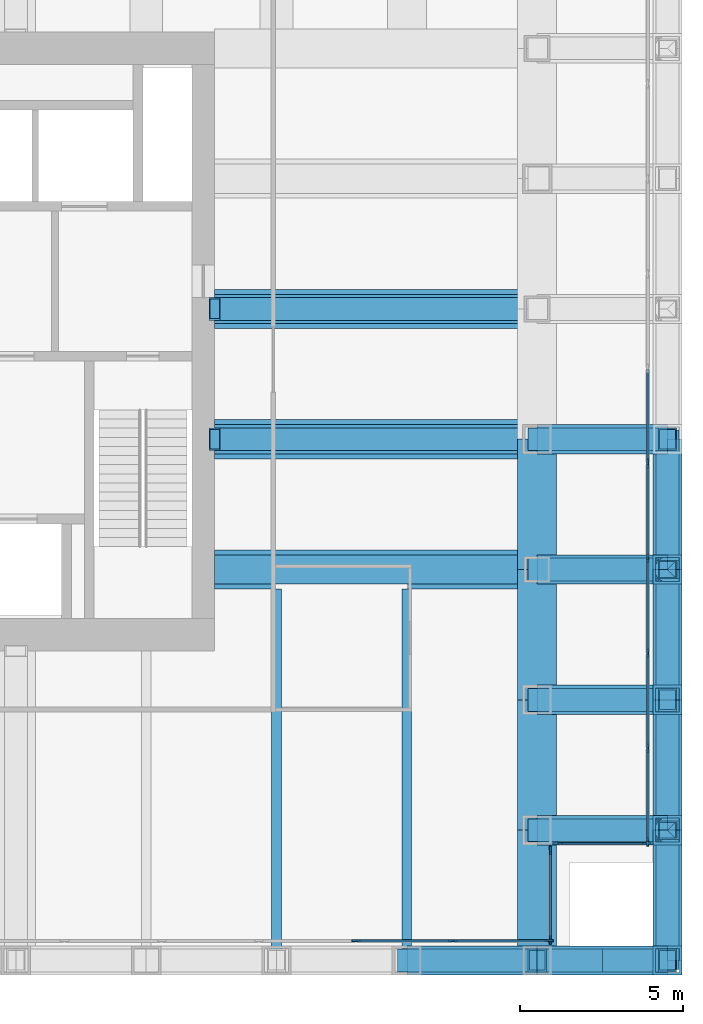
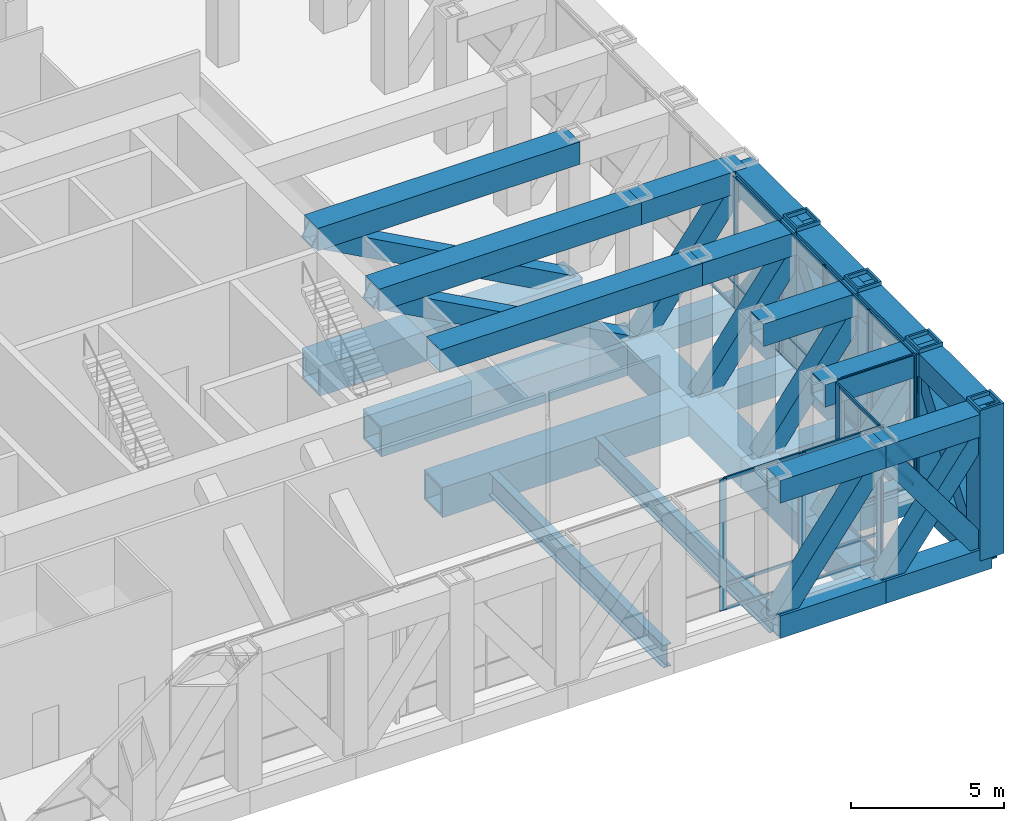
# One storey, part 4 of 12: 53 members, 32 beams, 4 elements without a shape of their own.
"""IFC4 building model written with IfcOpenShell, lengths in metres."""

from ifc_helpers import new_model, si_unit, direction, frame, origin, origin_2d, place, context, subcontext, project, spatial, rectangle, hollow_rectangle, i_section, extrude, material, material_profile, profile_set, type_object, element, aggregate, save


model = new_model("IFC4")

# Units and contexts
model_context = context("Model", 3, precision=1e-05, world=origin(), true_north=direction((0.0, 1.0)))
body_context = subcontext(model_context, "Body", "Model", "MODEL_VIEW")
ifc_project = project(units=[si_unit("LENGTHUNIT", "METRE"), si_unit("AREAUNIT", "SQUARE_METRE"), si_unit("VOLUMEUNIT", "CUBIC_METRE"), si_unit("PLANEANGLEUNIT", "RADIAN"), si_unit("MASSUNIT", "GRAM", prefix="KILO")], contexts=[model_context])

# Site, building, storey
site_placement = place(None, origin())
site = spatial("IfcSite", under=ifc_project, at=site_placement, CompositionType="ELEMENT")
building_placement = place(site_placement, origin())
building = spatial("IfcBuilding", under=site, at=building_placement, Name="Rimbunsela Tower", CompositionType="ELEMENT")
storey_placement = place(building_placement, frame((0.0, 0.0, 203.800048828125)))
storey = spatial("IfcBuildingStorey", under=building, at=storey_placement, Name="L49", CompositionType="ELEMENT", Elevation=203.800048828125)

# Beams
ifc_material_1 = material(Name="Steel BJ 55 (fy 410 MPa)", Category="steel")
ifc_material_profile_1 = material_profile(ifc_material_1, hollow_rectangle(XDim=1.199951171875, YDim=1.199951171875, WallThickness=0.10009765625, at=origin_2d()), Name="BOX 1200x1200x100")
ifc_profile_set_1 = profile_set([ifc_material_profile_1], Name="Steel BJ 55 (fy 410 MPa)")
beam_type_1 = type_object("IfcBeamType", Name="Beam BOX 1200x1200x100", PredefinedType="BEAM", material=ifc_profile_set_1)
for number, where, z_axis, x_axis, name in (
    (1, (36.10009765625, 20.0, -0.75), (1.0, 0.0, 0.0), (0.0, 1.0, 0.0), "Beam B5 L49"),
    (2, (36.10009765625, 24.0, -0.75), (1.0, 0.0, 0.0), (0.0, 1.0, 0.0), "Beam B5 L49"),
    (3, (36.10009765625, 28.0, -0.75), (1.0, 0.0, 0.0), (0.0, 1.0, 0.0), "Beam B5 L49"),
):
    element("IfcBeam", number, at=place(storey_placement, frame(where, z_axis=z_axis, x_axis=x_axis)), inside=storey, type_object=beam_type_1, Name=name, PredefinedType="BEAM", context=body_context, shape_type="SweptSolid", body=[
        extrude(hollow_rectangle(XDim=1.199951171875, YDim=1.199951171875, WallThickness=0.10009765625, at=origin_2d()), origin(), (0.0, 0.0, 1.0), 9.89990234375),
    ])
ifc_material_2 = material(Name="Steel BJ 55 (fy 410 MPa)", Category="steel")
ifc_material_profile_2 = material_profile(ifc_material_2, hollow_rectangle(XDim=1.199951171875, YDim=1.199951171875, WallThickness=0.125, at=origin_2d()), Name="BOX 1200x1200x125")
ifc_profile_set_2 = profile_set([ifc_material_profile_2], Name="Steel BJ 55 (fy 410 MPa)")
beam_type_2 = type_object("IfcBeamType", Name="Beam BOX 1200x1200x125", PredefinedType="BEAM", material=ifc_profile_set_2)
for number, where, z_axis, x_axis, name in (
    (4, (46.0, 8.0, -0.75), (0.0, 1.0, 0.0), (-1.0, 0.0, 0.0), "Beam B4 L49"),
    (5, (46.0, 12.0, -0.75), (0.0, 1.0, 0.0), (-1.0, 0.0, 0.0), "Beam B4 L49"),
    (6, (46.0, 16.0, -0.75), (0.0, 1.0, 0.0), (-1.0, 0.0, 0.0), "Beam B4 L49"),
    (7, (46.0, 20.0, -0.75), (0.0, 1.0, 0.0), (-1.0, 0.0, 0.0), "Beam B4 L49"),
):
    element("IfcBeam", number, at=place(storey_placement, frame(where, z_axis=z_axis, x_axis=x_axis)), inside=storey, type_object=beam_type_2, Name=name, PredefinedType="BEAM", context=body_context, shape_type="SweptSolid", body=[
        extrude(hollow_rectangle(XDim=1.199951171875, YDim=1.199951171875, WallThickness=0.125, at=origin_2d()), origin(), (0.0, 0.0, 1.0), 4.0),
    ])
ifc_material_3 = material(Name="Steel BJ 55 (fy 410 MPa)", Category="steel")
ifc_material_profile_3 = material_profile(ifc_material_3, i_section(OverallWidth=0.300048828125, OverallDepth=0.89990234375, WebThickness=0.01611328125, FlangeThickness=0.028076171875, FilletRadius=0.028076171875, at=origin_2d()), Name="H 900x300x16x28")
ifc_profile_set_3 = profile_set([ifc_material_profile_3], Name="Steel BJ 55 (fy 410 MPa)")
beam_type_3 = type_object("IfcBeamType", Name="Beam H 900x300x16x28", PredefinedType="BEAM", material=ifc_profile_set_3)
for number, where, z_axis, x_axis, name in (
    (8, (38.0, 8.0, -0.60009765625), (0.0, 1.0, 0.0), (-1.0, 0.0, 0.0), "Beam B2 L49"),
    (9, (42.0, 8.0, -0.60009765625), (0.0, 1.0, 0.0), (-1.0, 0.0, 0.0), "Beam B2 L49"),
):
    element("IfcBeam", number, at=place(storey_placement, frame(where, z_axis=z_axis, x_axis=x_axis)), inside=storey, type_object=beam_type_3, Name=name, PredefinedType="BEAM", context=body_context, shape_type="SweptSolid", body=[
        extrude(i_section(OverallWidth=0.300048828125, OverallDepth=0.89990234375, WebThickness=0.01611328125, FlangeThickness=0.028076171875, FilletRadius=0.028076171875, at=origin_2d()), origin(), (0.0, 0.0, 1.0), 11.39990234375),
    ])

# Curtain wall, members
ifc_material_4 = material(Name="Aluminium curtain wall", Category="aluminium")
curtain_wall_type_1 = type_object("IfcCurtainWallType", Name="Corner glazing", PredefinedType="USERDEFINED", material=ifc_material_4)
curtain_wall_1_placement = place(storey_placement, origin())
curtain_wall_1 = element("IfcCurtainWall", 10, at=curtain_wall_1_placement, inside=storey, type_object=curtain_wall_type_1, Name="Corner glazing L49", ObjectType="CORNER GLAZING", PredefinedType="USERDEFINED")
ifc_material_5 = material(Name="Aluminium mullion", Category="aluminium")
ifc_material_profile_4 = material_profile(ifc_material_5, rectangle(XDim=0.06005859375, YDim=0.25, at=origin_2d()), Name="Mullion 60x250")
ifc_profile_set_4 = profile_set([ifc_material_profile_4], Name="Aluminium mullion")
member_type_1 = type_object("IfcMemberType", Name="Curtain wall mullion 60x250", PredefinedType="MULLION", material=ifc_profile_set_4)
member_1_placement = place(storey_placement, frame((46.39990234375, 8.6298828125, 0.0), z_axis=(0.0, 0.0, 1.0), x_axis=(-1.0, 0.0, 0.0)))
member_1 = element("IfcMember", 11, at=member_1_placement, type_object=member_type_1, Name="CW5 mullion 1", PredefinedType="MULLION", context=body_context, shape_type="SweptSolid", body=[
    extrude(rectangle(XDim=0.06005859375, YDim=0.25, at=origin_2d()), origin(), (0.0, 0.0, 1.0), 5.25),
])
member_2_placement = place(storey_placement, frame((46.39990234375, 11.375, 0.0), z_axis=(0.0, 0.0, 1.0), x_axis=(-1.0, 0.0, 0.0)))
member_2 = element("IfcMember", 12, at=member_2_placement, type_object=member_type_1, Name="CW5 mullion 2", PredefinedType="MULLION", context=body_context, shape_type="SweptSolid", body=[
    extrude(rectangle(XDim=0.06005859375, YDim=0.25, at=origin_2d()), origin(), (0.0, 0.0, 1.0), 5.25),
])

ifc_material_6 = material(Name="Aluminium curtain wall", Category="aluminium")
curtain_wall_type_2 = type_object("IfcCurtainWallType", Name="Spandrel wall", PredefinedType="USERDEFINED", material=ifc_material_6)
curtain_wall_2_placement = place(storey_placement, origin())
curtain_wall_2 = element("IfcCurtainWall", 13, at=curtain_wall_2_placement, inside=storey, type_object=curtain_wall_type_2, Name="Spandrel wall L49", ObjectType="SPANDREL WALL", PredefinedType="USERDEFINED")
member_3_placement = place(storey_placement, frame((46.625, 11.60009765625, 0.0), z_axis=(0.0, 0.0, 1.0), x_axis=(0.0, 1.0, 0.0)))
member_3 = element("IfcMember", 14, at=member_3_placement, type_object=member_type_1, Name="CW7 mullion 1", PredefinedType="MULLION", context=body_context, shape_type="SweptSolid", body=[
    extrude(rectangle(XDim=0.06005859375, YDim=0.25, at=origin_2d()), origin(), (0.0, 0.0, 1.0), 5.25),
])
member_4_placement = place(storey_placement, frame((49.3701171875, 11.60009765625, 0.0), z_axis=(0.0, 0.0, 1.0), x_axis=(0.0, 1.0, 0.0)))
member_4 = element("IfcMember", 15, at=member_4_placement, type_object=member_type_1, Name="CW7 mullion 2", PredefinedType="MULLION", context=body_context, shape_type="SweptSolid", body=[
    extrude(rectangle(XDim=0.06005859375, YDim=0.25, at=origin_2d()), origin(), (0.0, 0.0, 1.0), 5.25),
])

ifc_material_7 = material(Name="Aluminium curtain wall", Category="aluminium")
curtain_wall_type_3 = type_object("IfcCurtainWallType", Name="Plant floor louvre wall", PredefinedType="USERDEFINED", material=ifc_material_7)
curtain_wall_3_placement = place(storey_placement, origin())
curtain_wall_3 = element("IfcCurtainWall", 16, at=curtain_wall_3_placement, inside=storey, type_object=curtain_wall_type_3, Name="Plant floor louvre wall L49", ObjectType="PLANT FLOOR LOUVRE WALL", PredefinedType="USERDEFINED")
member_5_placement = place(storey_placement, frame((49.39990234375, 11.6298828125, 0.0), z_axis=(0.0, 0.0, 1.0), x_axis=(-1.0, 0.0, 0.0)))
member_5 = element("IfcMember", 17, at=member_5_placement, type_object=member_type_1, Name="CW3 mullion 1", PredefinedType="MULLION", context=body_context, shape_type="SweptSolid", body=[
    extrude(rectangle(XDim=0.06005859375, YDim=0.25, at=origin_2d()), origin(), (0.0, 0.0, 1.0), 5.25),
])
member_6_placement = place(storey_placement, frame((49.39990234375, 14.514404296875, 0.0), z_axis=(0.0, 0.0, 1.0), x_axis=(-1.0, 0.0, 0.0)))
member_6 = element("IfcMember", 18, at=member_6_placement, type_object=member_type_1, Name="CW3 mullion 2", PredefinedType="MULLION", context=body_context, shape_type="SweptSolid", body=[
    extrude(rectangle(XDim=0.06005859375, YDim=0.25, at=origin_2d()), origin(), (0.0, 0.0, 1.0), 5.25),
])
member_7_placement = place(storey_placement, frame((49.39990234375, 17.428466796875, 0.0), z_axis=(0.0, 0.0, 1.0), x_axis=(-1.0, 0.0, 0.0)))
member_7 = element("IfcMember", 19, at=member_7_placement, type_object=member_type_1, Name="CW3 mullion 3", PredefinedType="MULLION", context=body_context, shape_type="SweptSolid", body=[
    extrude(rectangle(XDim=0.06005859375, YDim=0.25, at=origin_2d()), origin(), (0.0, 0.0, 1.0), 5.25),
])
member_8_placement = place(storey_placement, frame((49.39990234375, 20.3427734375, 0.0), z_axis=(0.0, 0.0, 1.0), x_axis=(-1.0, 0.0, 0.0)))
member_8 = element("IfcMember", 20, at=member_8_placement, type_object=member_type_1, Name="CW3 mullion 4", PredefinedType="MULLION", context=body_context, shape_type="SweptSolid", body=[
    extrude(rectangle(XDim=0.06005859375, YDim=0.25, at=origin_2d()), origin(), (0.0, 0.0, 1.0), 5.25),
])
member_9_placement = place(storey_placement, frame((49.39990234375, 23.257080078125, 0.0), z_axis=(0.0, 0.0, 1.0), x_axis=(-1.0, 0.0, 0.0)))
member_9 = element("IfcMember", 21, at=member_9_placement, type_object=member_type_1, Name="CW3 mullion 5", PredefinedType="MULLION", context=body_context, shape_type="SweptSolid", body=[
    extrude(rectangle(XDim=0.06005859375, YDim=0.25, at=origin_2d()), origin(), (0.0, 0.0, 1.0), 5.25),
])

curtain_wall_4_placement = place(storey_placement, origin())
curtain_wall_4 = element("IfcCurtainWall", 22, at=curtain_wall_4_placement, inside=storey, type_object=curtain_wall_type_3, Name="Plant floor louvre wall L49", ObjectType="PLANT FLOOR LOUVRE WALL", PredefinedType="USERDEFINED")
member_10_placement = place(storey_placement, frame((40.436279296875, 8.60009765625, 0.0), z_axis=(0.0, 0.0, 1.0), x_axis=(0.0, 1.0, 0.0)))
member_10 = element("IfcMember", 23, at=member_10_placement, type_object=member_type_1, Name="CW3 mullion 10", PredefinedType="MULLION", context=body_context, shape_type="SweptSolid", body=[
    extrude(rectangle(XDim=0.06005859375, YDim=0.25, at=origin_2d()), origin(), (0.0, 0.0, 1.0), 5.25),
])
member_11_placement = place(storey_placement, frame((43.418212890625, 8.60009765625, 0.0), z_axis=(0.0, 0.0, 1.0), x_axis=(0.0, 1.0, 0.0)))
member_11 = element("IfcMember", 24, at=member_11_placement, type_object=member_type_1, Name="CW3 mullion 11", PredefinedType="MULLION", context=body_context, shape_type="SweptSolid", body=[
    extrude(rectangle(XDim=0.06005859375, YDim=0.25, at=origin_2d()), origin(), (0.0, 0.0, 1.0), 5.25),
])
member_12_placement = place(storey_placement, frame((46.3701171875, 8.60009765625, 0.0), z_axis=(0.0, 0.0, 1.0), x_axis=(0.0, 1.0, 0.0)))
member_12 = element("IfcMember", 25, at=member_12_placement, type_object=member_type_1, Name="CW3 mullion 12", PredefinedType="MULLION", context=body_context, shape_type="SweptSolid", body=[
    extrude(rectangle(XDim=0.06005859375, YDim=0.25, at=origin_2d()), origin(), (0.0, 0.0, 1.0), 5.25),
])

# Member
ifc_material_8 = material(Name="Aluminium transom", Category="aluminium")
ifc_material_profile_5 = material_profile(ifc_material_8, rectangle(XDim=0.06005859375, YDim=0.1201171875, at=origin_2d()), Name="Transom 60x120")
ifc_profile_set_5 = profile_set([ifc_material_profile_5], Name="Aluminium transom")
member_type_2 = type_object("IfcMemberType", Name="Curtain wall transom 60x120", PredefinedType="USERDEFINED", material=ifc_profile_set_5)
member_13_placement = place(storey_placement, frame((46.39990234375, 8.659912109375, 0.030029296875), z_axis=(0.0, 1.0, 0.0), x_axis=(-1.0, 0.0, 0.0)))
member_13 = element("IfcMember", 26, at=member_13_placement, type_object=member_type_2, Name="CW5 transom 1.1", ObjectType="TRANSOM", PredefinedType="USERDEFINED", context=body_context, shape_type="SweptSolid", body=[
    extrude(rectangle(XDim=0.06005859375, YDim=0.1201171875, at=origin_2d()), origin(), (0.0, 0.0, 1.0), 2.68505859375),
])

member_14_placement = place(storey_placement, frame((46.39990234375, 8.659912109375, 5.219970703125), z_axis=(0.0, 1.0, 0.0), x_axis=(-1.0, 0.0, 0.0)))
member_14 = element("IfcMember", 27, at=member_14_placement, type_object=member_type_2, Name="CW5 transom 1.2", ObjectType="TRANSOM", PredefinedType="USERDEFINED", context=body_context, shape_type="SweptSolid", body=[
    extrude(rectangle(XDim=0.06005859375, YDim=0.1201171875, at=origin_2d()), origin(), (0.0, 0.0, 1.0), 2.68505859375),
])

aggregate(curtain_wall_1, [member_1, member_2, member_13, member_14])

member_15_placement = place(storey_placement, frame((46.655029296875, 11.60009765625, 0.030029296875), z_axis=(1.0, 0.0, 0.0), x_axis=(0.0, 1.0, 0.0)))
member_15 = element("IfcMember", 28, at=member_15_placement, type_object=member_type_2, Name="CW7 transom 1.1", ObjectType="TRANSOM", PredefinedType="USERDEFINED", context=body_context, shape_type="SweptSolid", body=[
    extrude(rectangle(XDim=0.06005859375, YDim=0.1201171875, at=origin_2d()), origin(), (0.0, 0.0, 1.0), 2.68505859375),
])

member_16_placement = place(storey_placement, frame((46.655029296875, 11.60009765625, 5.219970703125), z_axis=(1.0, 0.0, 0.0), x_axis=(0.0, 1.0, 0.0)))
member_16 = element("IfcMember", 29, at=member_16_placement, type_object=member_type_2, Name="CW7 transom 1.2", ObjectType="TRANSOM", PredefinedType="USERDEFINED", context=body_context, shape_type="SweptSolid", body=[
    extrude(rectangle(XDim=0.06005859375, YDim=0.1201171875, at=origin_2d()), origin(), (0.0, 0.0, 1.0), 2.68505859375),
])

aggregate(curtain_wall_2, [member_3, member_4, member_15, member_16])

member_17_placement = place(storey_placement, frame((49.39990234375, 11.659912109375, 0.030029296875), z_axis=(0.0, 1.0, 0.0), x_axis=(-1.0, 0.0, 0.0)))
member_17 = element("IfcMember", 30, at=member_17_placement, type_object=member_type_2, Name="CW3 transom 1.1", ObjectType="TRANSOM", PredefinedType="USERDEFINED", context=body_context, shape_type="SweptSolid", body=[
    extrude(rectangle(XDim=0.06005859375, YDim=0.1201171875, at=origin_2d()), origin(), (0.0, 0.0, 1.0), 2.824462890625),
])

member_18_placement = place(storey_placement, frame((49.39990234375, 11.659912109375, 1.0), z_axis=(0.0, 1.0, 0.0), x_axis=(-1.0, 0.0, 0.0)))
member_18 = element("IfcMember", 31, at=member_18_placement, type_object=member_type_2, Name="CW3 transom 1.2", ObjectType="TRANSOM", PredefinedType="USERDEFINED", context=body_context, shape_type="SweptSolid", body=[
    extrude(rectangle(XDim=0.06005859375, YDim=0.1201171875, at=origin_2d()), origin(), (0.0, 0.0, 1.0), 2.824462890625),
])

member_19_placement = place(storey_placement, frame((49.39990234375, 11.659912109375, 5.219970703125), z_axis=(0.0, 1.0, 0.0), x_axis=(-1.0, 0.0, 0.0)))
member_19 = element("IfcMember", 32, at=member_19_placement, type_object=member_type_2, Name="CW3 transom 1.3", ObjectType="TRANSOM", PredefinedType="USERDEFINED", context=body_context, shape_type="SweptSolid", body=[
    extrude(rectangle(XDim=0.06005859375, YDim=0.1201171875, at=origin_2d()), origin(), (0.0, 0.0, 1.0), 2.824462890625),
])

member_20_placement = place(storey_placement, frame((49.39990234375, 14.544189453125, 0.030029296875), z_axis=(0.0, 1.0, 0.0), x_axis=(-1.0, 0.0, 0.0)))
member_20 = element("IfcMember", 33, at=member_20_placement, type_object=member_type_2, Name="CW3 transom 2.1", ObjectType="TRANSOM", PredefinedType="USERDEFINED", context=body_context, shape_type="SweptSolid", body=[
    extrude(rectangle(XDim=0.06005859375, YDim=0.1201171875, at=origin_2d()), origin(), (0.0, 0.0, 1.0), 2.8544921875),
])

member_21_placement = place(storey_placement, frame((49.39990234375, 14.544189453125, 1.0), z_axis=(0.0, 1.0, 0.0), x_axis=(-1.0, 0.0, 0.0)))
member_21 = element("IfcMember", 34, at=member_21_placement, type_object=member_type_2, Name="CW3 transom 2.2", ObjectType="TRANSOM", PredefinedType="USERDEFINED", context=body_context, shape_type="SweptSolid", body=[
    extrude(rectangle(XDim=0.06005859375, YDim=0.1201171875, at=origin_2d()), origin(), (0.0, 0.0, 1.0), 2.8544921875),
])

member_22_placement = place(storey_placement, frame((49.39990234375, 14.544189453125, 5.219970703125), z_axis=(0.0, 1.0, 0.0), x_axis=(-1.0, 0.0, 0.0)))
member_22 = element("IfcMember", 35, at=member_22_placement, type_object=member_type_2, Name="CW3 transom 2.3", ObjectType="TRANSOM", PredefinedType="USERDEFINED", context=body_context, shape_type="SweptSolid", body=[
    extrude(rectangle(XDim=0.06005859375, YDim=0.1201171875, at=origin_2d()), origin(), (0.0, 0.0, 1.0), 2.8544921875),
])

member_23_placement = place(storey_placement, frame((49.39990234375, 17.45849609375, 0.030029296875), z_axis=(0.0, 1.0, 0.0), x_axis=(-1.0, 0.0, 0.0)))
member_23 = element("IfcMember", 36, at=member_23_placement, type_object=member_type_2, Name="CW3 transom 3.1", ObjectType="TRANSOM", PredefinedType="USERDEFINED", context=body_context, shape_type="SweptSolid", body=[
    extrude(rectangle(XDim=0.06005859375, YDim=0.1201171875, at=origin_2d()), origin(), (0.0, 0.0, 1.0), 2.854248046875),
])

member_24_placement = place(storey_placement, frame((49.39990234375, 17.45849609375, 1.0), z_axis=(0.0, 1.0, 0.0), x_axis=(-1.0, 0.0, 0.0)))
member_24 = element("IfcMember", 37, at=member_24_placement, type_object=member_type_2, Name="CW3 transom 3.2", ObjectType="TRANSOM", PredefinedType="USERDEFINED", context=body_context, shape_type="SweptSolid", body=[
    extrude(rectangle(XDim=0.06005859375, YDim=0.1201171875, at=origin_2d()), origin(), (0.0, 0.0, 1.0), 2.854248046875),
])

member_25_placement = place(storey_placement, frame((49.39990234375, 17.45849609375, 5.219970703125), z_axis=(0.0, 1.0, 0.0), x_axis=(-1.0, 0.0, 0.0)))
member_25 = element("IfcMember", 38, at=member_25_placement, type_object=member_type_2, Name="CW3 transom 3.3", ObjectType="TRANSOM", PredefinedType="USERDEFINED", context=body_context, shape_type="SweptSolid", body=[
    extrude(rectangle(XDim=0.06005859375, YDim=0.1201171875, at=origin_2d()), origin(), (0.0, 0.0, 1.0), 2.854248046875),
])

member_26_placement = place(storey_placement, frame((49.39990234375, 20.372802734375, 0.030029296875), z_axis=(0.0, 1.0, 0.0), x_axis=(-1.0, 0.0, 0.0)))
member_26 = element("IfcMember", 39, at=member_26_placement, type_object=member_type_2, Name="CW3 transom 4.1", ObjectType="TRANSOM", PredefinedType="USERDEFINED", context=body_context, shape_type="SweptSolid", body=[
    extrude(rectangle(XDim=0.06005859375, YDim=0.1201171875, at=origin_2d()), origin(), (0.0, 0.0, 1.0), 2.854248046875),
])

member_27_placement = place(storey_placement, frame((49.39990234375, 20.372802734375, 1.0), z_axis=(0.0, 1.0, 0.0), x_axis=(-1.0, 0.0, 0.0)))
member_27 = element("IfcMember", 40, at=member_27_placement, type_object=member_type_2, Name="CW3 transom 4.2", ObjectType="TRANSOM", PredefinedType="USERDEFINED", context=body_context, shape_type="SweptSolid", body=[
    extrude(rectangle(XDim=0.06005859375, YDim=0.1201171875, at=origin_2d()), origin(), (0.0, 0.0, 1.0), 2.854248046875),
])

member_28_placement = place(storey_placement, frame((49.39990234375, 20.372802734375, 5.219970703125), z_axis=(0.0, 1.0, 0.0), x_axis=(-1.0, 0.0, 0.0)))
member_28 = element("IfcMember", 41, at=member_28_placement, type_object=member_type_2, Name="CW3 transom 4.3", ObjectType="TRANSOM", PredefinedType="USERDEFINED", context=body_context, shape_type="SweptSolid", body=[
    extrude(rectangle(XDim=0.06005859375, YDim=0.1201171875, at=origin_2d()), origin(), (0.0, 0.0, 1.0), 2.854248046875),
])

member_29_placement = place(storey_placement, frame((49.39990234375, 23.287109375, 0.030029296875), z_axis=(0.0, 1.0, 0.0), x_axis=(-1.0, 0.0, 0.0)))
member_29 = element("IfcMember", 42, at=member_29_placement, type_object=member_type_2, Name="CW3 transom 5.1", ObjectType="TRANSOM", PredefinedType="USERDEFINED", context=body_context, shape_type="SweptSolid", body=[
    extrude(rectangle(XDim=0.06005859375, YDim=0.1201171875, at=origin_2d()), origin(), (0.0, 0.0, 1.0), 2.854248046875),
])

member_30_placement = place(storey_placement, frame((49.39990234375, 23.287109375, 1.0), z_axis=(0.0, 1.0, 0.0), x_axis=(-1.0, 0.0, 0.0)))
member_30 = element("IfcMember", 43, at=member_30_placement, type_object=member_type_2, Name="CW3 transom 5.2", ObjectType="TRANSOM", PredefinedType="USERDEFINED", context=body_context, shape_type="SweptSolid", body=[
    extrude(rectangle(XDim=0.06005859375, YDim=0.1201171875, at=origin_2d()), origin(), (0.0, 0.0, 1.0), 2.854248046875),
])

aggregate(curtain_wall_3, [member_5, member_6, member_7, member_8, member_9, member_17, member_18, member_19, member_20, member_21, member_22, member_23, member_24, member_25, member_26, member_27, member_28, member_29, member_30])

member_31_placement = place(storey_placement, frame((40.46630859375, 8.60009765625, 0.030029296875), z_axis=(1.0, 0.0, 0.0), x_axis=(0.0, 1.0, 0.0)))
member_31 = element("IfcMember", 44, at=member_31_placement, type_object=member_type_2, Name="CW3 transom 10.1", ObjectType="TRANSOM", PredefinedType="USERDEFINED", context=body_context, shape_type="SweptSolid", body=[
    extrude(rectangle(XDim=0.06005859375, YDim=0.1201171875, at=origin_2d()), origin(), (0.0, 0.0, 1.0), 2.921875),
])

member_32_placement = place(storey_placement, frame((40.46630859375, 8.60009765625, 1.0), z_axis=(1.0, 0.0, 0.0), x_axis=(0.0, 1.0, 0.0)))
member_32 = element("IfcMember", 45, at=member_32_placement, type_object=member_type_2, Name="CW3 transom 10.2", ObjectType="TRANSOM", PredefinedType="USERDEFINED", context=body_context, shape_type="SweptSolid", body=[
    extrude(rectangle(XDim=0.06005859375, YDim=0.1201171875, at=origin_2d()), origin(), (0.0, 0.0, 1.0), 2.921875),
])

member_33_placement = place(storey_placement, frame((40.46630859375, 8.60009765625, 5.219970703125), z_axis=(1.0, 0.0, 0.0), x_axis=(0.0, 1.0, 0.0)))
member_33 = element("IfcMember", 46, at=member_33_placement, type_object=member_type_2, Name="CW3 transom 10.3", ObjectType="TRANSOM", PredefinedType="USERDEFINED", context=body_context, shape_type="SweptSolid", body=[
    extrude(rectangle(XDim=0.06005859375, YDim=0.1201171875, at=origin_2d()), origin(), (0.0, 0.0, 1.0), 2.921875),
])

member_34_placement = place(storey_placement, frame((43.4482421875, 8.60009765625, 0.030029296875), z_axis=(1.0, 0.0, 0.0), x_axis=(0.0, 1.0, 0.0)))
member_34 = element("IfcMember", 47, at=member_34_placement, type_object=member_type_2, Name="CW3 transom 11.1", ObjectType="TRANSOM", PredefinedType="USERDEFINED", context=body_context, shape_type="SweptSolid", body=[
    extrude(rectangle(XDim=0.06005859375, YDim=0.1201171875, at=origin_2d()), origin(), (0.0, 0.0, 1.0), 2.891845703125),
])

member_35_placement = place(storey_placement, frame((43.4482421875, 8.60009765625, 1.0), z_axis=(1.0, 0.0, 0.0), x_axis=(0.0, 1.0, 0.0)))
member_35 = element("IfcMember", 48, at=member_35_placement, type_object=member_type_2, Name="CW3 transom 11.2", ObjectType="TRANSOM", PredefinedType="USERDEFINED", context=body_context, shape_type="SweptSolid", body=[
    extrude(rectangle(XDim=0.06005859375, YDim=0.1201171875, at=origin_2d()), origin(), (0.0, 0.0, 1.0), 2.891845703125),
])

member_36_placement = place(storey_placement, frame((43.4482421875, 8.60009765625, 5.219970703125), z_axis=(1.0, 0.0, 0.0), x_axis=(0.0, 1.0, 0.0)))
member_36 = element("IfcMember", 49, at=member_36_placement, type_object=member_type_2, Name="CW3 transom 11.3", ObjectType="TRANSOM", PredefinedType="USERDEFINED", context=body_context, shape_type="SweptSolid", body=[
    extrude(rectangle(XDim=0.06005859375, YDim=0.1201171875, at=origin_2d()), origin(), (0.0, 0.0, 1.0), 2.891845703125),
])

aggregate(curtain_wall_4, [member_10, member_11, member_12, member_31, member_32, member_33, member_34, member_35, member_36])

# Members
ifc_material_9 = material(Name="Steel BJ 55 (fy 410 MPa)", Category="steel")
ifc_material_profile_6 = material_profile(ifc_material_9, hollow_rectangle(XDim=0.699951171875, YDim=0.699951171875, WallThickness=0.050048828125, at=origin_2d()), Name="BOX 700x700x50")
ifc_profile_set_6 = profile_set([ifc_material_profile_6], Name="Steel BJ 55 (fy 410 MPa)")
member_type_3 = type_object("IfcMemberType", Name="Outrigger brace BOX 700x700x50", PredefinedType="BRACE", material=ifc_profile_set_6)
for number, where, z_axis, x_axis, name in (
    (50, (46.0, 28.0, -0.60009765625), (-0.877888126476, 0.0, 0.478865782232), (0.0, -1.0, 0.0), "Outrigger brace OB2 E L49"),
    (51, (46.0, 24.0, -0.60009765625), (-0.877888126476, 0.0, 0.478865782232), (0.0, -1.0, 0.0), "Outrigger brace OB2 E L49"),
):
    element("IfcMember", number, at=place(storey_placement, frame(where, z_axis=z_axis, x_axis=x_axis)), inside=storey, type_object=member_type_3, Name=name, PredefinedType="BRACE", context=body_context, shape_type="SweptSolid", body=[
        extrude(hollow_rectangle(XDim=0.699951171875, YDim=0.699951171875, WallThickness=0.050048828125, at=origin_2d()), origin(), (0.0, 0.0, 1.0), 11.27685546875),
    ])

# Beams
ifc_material_10 = material(Name="Steel BJ 55 (fy 410 MPa)", Category="steel")
ifc_material_profile_7 = material_profile(ifc_material_10, hollow_rectangle(XDim=0.89990234375, YDim=0.89990234375, WallThickness=0.06005859375, at=origin_2d()), Name="BOX 900x900x60")
ifc_profile_set_7 = profile_set([ifc_material_profile_7], Name="Steel BJ 55 (fy 410 MPa)")
beam_type_4 = type_object("IfcBeamType", Name="Truss chord BOX 900x900x60", PredefinedType="USERDEFINED", material=ifc_profile_set_7)
for number, where, z_axis, x_axis, name in (
    (52, (42.0, 8.0, 4.800048828125), (1.0, 0.0, 0.0), (0.0, 1.0, 0.0), "Truss top chord TC4 S face L49"),
    (53, (46.0, 8.0, 4.800048828125), (1.0, 0.0, 0.0), (0.0, 1.0, 0.0), "Truss top chord TC4 S face L49"),
    (54, (50.0, 8.0, 4.800048828125), (0.0, 1.0, 0.0), (-1.0, 0.0, 0.0), "Truss top chord TC4 E face L49"),
    (55, (50.0, 12.0, 4.800048828125), (0.0, 1.0, 0.0), (-1.0, 0.0, 0.0), "Truss top chord TC4 E face L49"),
    (56, (50.0, 16.0, 4.800048828125), (0.0, 1.0, 0.0), (-1.0, 0.0, 0.0), "Truss top chord TC4 E face L49"),
    (57, (50.0, 20.0, 4.800048828125), (0.0, 1.0, 0.0), (-1.0, 0.0, 0.0), "Truss top chord TC4 E face L49"),
    (58, (42.0, 8.0, -0.60009765625), (1.0, 0.0, 0.0), (0.0, 1.0, 0.0), "Truss bottom chord TC4 S face L49"),
    (59, (46.0, 8.0, -0.60009765625), (1.0, 0.0, 0.0), (0.0, 1.0, 0.0), "Truss bottom chord TC4 S face L49"),
    (60, (46.0, 12.0, -0.60009765625), (1.0, 0.0, 0.0), (0.0, 1.0, 0.0), "Cantilever truss bottom chord TC4 15/E L49"),
    (61, (46.0, 12.0, 4.800048828125), (1.0, 0.0, 0.0), (0.0, 1.0, 0.0), "Cantilever truss top chord TC4 15/E L49"),
    (62, (46.0, 16.0, -0.60009765625), (1.0, 0.0, 0.0), (0.0, 1.0, 0.0), "Cantilever truss bottom chord TC4 15/F L49"),
    (63, (46.0, 16.0, 4.800048828125), (1.0, 0.0, 0.0), (0.0, 1.0, 0.0), "Cantilever truss top chord TC4 15/F L49"),
    (64, (46.0, 20.0, -0.60009765625), (1.0, 0.0, 0.0), (0.0, 1.0, 0.0), "Cantilever truss bottom chord TC4 15/G L49"),
):
    element("IfcBeam", number, at=place(storey_placement, frame(where, z_axis=z_axis, x_axis=x_axis)), inside=storey, type_object=beam_type_4, Name=name, ObjectType="TRUSS CHORD", PredefinedType="USERDEFINED", context=body_context, shape_type="SweptSolid", body=[
        extrude(hollow_rectangle(XDim=0.89990234375, YDim=0.89990234375, WallThickness=0.06005859375, at=origin_2d()), origin(), (0.0, 0.0, 1.0), 4.0),
    ])
beam_1_placement = place(storey_placement, frame((36.10009765625, 20.0, 4.800048828125), z_axis=(1.0, 0.0, 0.0), x_axis=(0.0, 1.0, 0.0)))
element("IfcBeam", 65, at=beam_1_placement, inside=storey, type_object=beam_type_4, Name="Cantilever truss top chord TC4 15/G L49", ObjectType="TRUSS CHORD", PredefinedType="USERDEFINED", context=body_context, shape_type="SweptSolid", body=[
    extrude(hollow_rectangle(XDim=0.89990234375, YDim=0.89990234375, WallThickness=0.06005859375, at=origin_2d()), origin(), (0.0, 0.0, 1.0), 9.89990234375),
])
for number, where, z_axis, x_axis, name in (
    (66, (46.0, 20.0, 4.800048828125), (1.0, 0.0, 0.0), (0.0, 1.0, 0.0), "Cantilever truss top chord TC4 15/G L49"),
    (67, (46.0, 24.0, -0.60009765625), (1.0, 0.0, 0.0), (0.0, 1.0, 0.0), "Cantilever truss bottom chord TC4 15/H L49"),
):
    element("IfcBeam", number, at=place(storey_placement, frame(where, z_axis=z_axis, x_axis=x_axis)), inside=storey, type_object=beam_type_4, Name=name, ObjectType="TRUSS CHORD", PredefinedType="USERDEFINED", context=body_context, shape_type="SweptSolid", body=[
        extrude(hollow_rectangle(XDim=0.89990234375, YDim=0.89990234375, WallThickness=0.06005859375, at=origin_2d()), origin(), (0.0, 0.0, 1.0), 4.0),
    ])
beam_2_placement = place(storey_placement, frame((36.10009765625, 24.0, 4.800048828125), z_axis=(1.0, 0.0, 0.0), x_axis=(0.0, 1.0, 0.0)))
element("IfcBeam", 68, at=beam_2_placement, inside=storey, type_object=beam_type_4, Name="Cantilever truss top chord TC4 15/H L49", ObjectType="TRUSS CHORD", PredefinedType="USERDEFINED", context=body_context, shape_type="SweptSolid", body=[
    extrude(hollow_rectangle(XDim=0.89990234375, YDim=0.89990234375, WallThickness=0.06005859375, at=origin_2d()), origin(), (0.0, 0.0, 1.0), 9.89990234375),
])
beam_3_placement = place(storey_placement, frame((46.0, 24.0, 4.800048828125), z_axis=(1.0, 0.0, 0.0), x_axis=(0.0, 1.0, 0.0)))
element("IfcBeam", 69, at=beam_3_placement, inside=storey, type_object=beam_type_4, Name="Cantilever truss top chord TC4 15/H L49", ObjectType="TRUSS CHORD", PredefinedType="USERDEFINED", context=body_context, shape_type="SweptSolid", body=[
    extrude(hollow_rectangle(XDim=0.89990234375, YDim=0.89990234375, WallThickness=0.06005859375, at=origin_2d()), origin(), (0.0, 0.0, 1.0), 4.0),
])
beam_4_placement = place(storey_placement, frame((36.10009765625, 28.0, 4.800048828125), z_axis=(1.0, 0.0, 0.0), x_axis=(0.0, 1.0, 0.0)))
element("IfcBeam", 70, at=beam_4_placement, inside=storey, type_object=beam_type_4, Name="Cantilever truss top chord TC4 15/J L49", ObjectType="TRUSS CHORD", PredefinedType="USERDEFINED", context=body_context, shape_type="SweptSolid", body=[
    extrude(hollow_rectangle(XDim=0.89990234375, YDim=0.89990234375, WallThickness=0.06005859375, at=origin_2d()), origin(), (0.0, 0.0, 1.0), 9.89990234375),
])
for number, where, z_axis, x_axis, name in (
    (71, (50.0, 8.0, -0.60009765625), (0.0, 1.0, 0.0), (-1.0, 0.0, 0.0), "Truss bottom chord TC4 E face L49"),
    (72, (50.0, 12.0, -0.60009765625), (0.0, 1.0, 0.0), (-1.0, 0.0, 0.0), "Truss bottom chord TC4 E face L49"),
    (73, (50.0, 16.0, -0.60009765625), (0.0, 1.0, 0.0), (-1.0, 0.0, 0.0), "Truss bottom chord TC4 E face L49"),
    (74, (50.0, 20.0, -0.60009765625), (0.0, 1.0, 0.0), (-1.0, 0.0, 0.0), "Truss bottom chord TC4 E face L49"),
):
    element("IfcBeam", number, at=place(storey_placement, frame(where, z_axis=z_axis, x_axis=x_axis)), inside=storey, type_object=beam_type_4, Name=name, ObjectType="TRUSS CHORD", PredefinedType="USERDEFINED", context=body_context, shape_type="SweptSolid", body=[
        extrude(hollow_rectangle(XDim=0.89990234375, YDim=0.89990234375, WallThickness=0.06005859375, at=origin_2d()), origin(), (0.0, 0.0, 1.0), 4.0),
    ])

# Members
ifc_material_11 = material(Name="Steel BJ 55 (fy 410 MPa)", Category="steel")
ifc_material_profile_8 = material_profile(ifc_material_11, hollow_rectangle(XDim=0.699951171875, YDim=0.699951171875, WallThickness=0.050048828125, at=origin_2d()), Name="BOX 700x700x50")
ifc_profile_set_8 = profile_set([ifc_material_profile_8], Name="Steel BJ 55 (fy 410 MPa)")
member_type_4 = type_object("IfcMemberType", Name="Truss diagonal BOX 700x700x50", PredefinedType="BRACE", material=ifc_profile_set_8)
for number, where, z_axis, x_axis, name in (
    (75, (42.0, 8.0, -0.60009765625), (0.595217124844, 0.0, 0.803564916041), (0.0, 1.0, 0.0), "Truss diagonal TD4 S face L49"),
    (76, (46.0, 8.0, 4.800048828125), (0.595217124844, 0.0, -0.803564916041), (0.0, 1.0, 0.0), "Truss diagonal TD4 S face L49"),
    (77, (50.0, 8.0, -0.60009765625), (0.0, 0.595217124844, 0.803564916041), (-1.0, 0.0, 0.0), "Truss diagonal TD4 E face L49"),
    (78, (50.0, 12.0, 4.800048828125), (0.0, 0.595217124844, -0.803564916041), (-1.0, 0.0, 0.0), "Truss diagonal TD4 E face L49"),
    (79, (50.0, 16.0, -0.60009765625), (0.0, 0.595217124844, 0.803564916041), (-1.0, 0.0, 0.0), "Truss diagonal TD4 E face L49"),
    (80, (50.0, 20.0, 4.800048828125), (0.0, 0.595217124844, -0.803564916041), (-1.0, 0.0, 0.0), "Truss diagonal TD4 E face L49"),
    (81, (46.0, 8.0, -0.60009765625), (0.595217124844, 0.0, 0.803564916041), (0.0, 1.0, 0.0), "Cantilever truss diagonal TD4 15/D L49"),
    (82, (46.0, 12.0, -0.60009765625), (0.595217124844, 0.0, 0.803564916041), (0.0, 1.0, 0.0), "Cantilever truss diagonal TD4 15/E L49"),
    (83, (46.0, 16.0, -0.60009765625), (0.595217124844, 0.0, 0.803564916041), (0.0, 1.0, 0.0), "Cantilever truss diagonal TD4 15/F L49"),
    (84, (46.0, 20.0, -0.60009765625), (0.595217124844, 0.0, 0.803564916041), (0.0, 1.0, 0.0), "Cantilever truss diagonal TD4 15/G L49"),
    (85, (46.0, 24.0, -0.60009765625), (0.595217124844, 0.0, 0.803564916041), (0.0, 1.0, 0.0), "Cantilever truss diagonal TD4 15/H L49"),
):
    element("IfcMember", number, at=place(storey_placement, frame(where, z_axis=z_axis, x_axis=x_axis)), inside=storey, type_object=member_type_4, Name=name, PredefinedType="BRACE", context=body_context, shape_type="SweptSolid", body=[
        extrude(hollow_rectangle(XDim=0.699951171875, YDim=0.699951171875, WallThickness=0.050048828125, at=origin_2d()), origin(), (0.0, 0.0, 1.0), 6.72021484375),
    ])
ifc_material_12 = material(Name="Steel BJ 55 (fy 410 MPa)", Category="steel")
ifc_material_profile_9 = material_profile(ifc_material_12, hollow_rectangle(XDim=0.89990234375, YDim=0.89990234375, WallThickness=0.080078125, at=origin_2d()), Name="BOX 900x900x80")
ifc_profile_set_9 = profile_set([ifc_material_profile_9], Name="Steel BJ 55 (fy 410 MPa)")
member_type_5 = type_object("IfcMemberType", Name="Truss post BOX 900x900x80", PredefinedType="POST", material=ifc_profile_set_9)
for number, where, z_axis, x_axis, name in (
    (86, (50.0, 8.0, -0.60009765625), (0.0, 0.0, 1.0), (1.0, 0.0, 0.0), "Truss post TP3 15/D L49"),
    (87, (50.0, 12.0, -0.60009765625), (0.0, 0.0, 1.0), (1.0, 0.0, 0.0), "Truss post TP3 15/E L49"),
    (88, (50.0, 16.0, -0.60009765625), (0.0, 0.0, 1.0), (1.0, 0.0, 0.0), "Truss post TP3 15/F L49"),
    (89, (50.0, 20.0, -0.60009765625), (0.0, 0.0, 1.0), (1.0, 0.0, 0.0), "Truss post TP3 15/G L49"),
):
    element("IfcMember", number, at=place(storey_placement, frame(where, z_axis=z_axis, x_axis=x_axis)), inside=storey, type_object=member_type_5, Name=name, PredefinedType="POST", context=body_context, shape_type="SweptSolid", body=[
        extrude(hollow_rectangle(XDim=0.89990234375, YDim=0.89990234375, WallThickness=0.080078125, at=origin_2d()), origin(), (0.0, 0.0, 1.0), 6.0),
    ])

save(model, "model.ifc")
